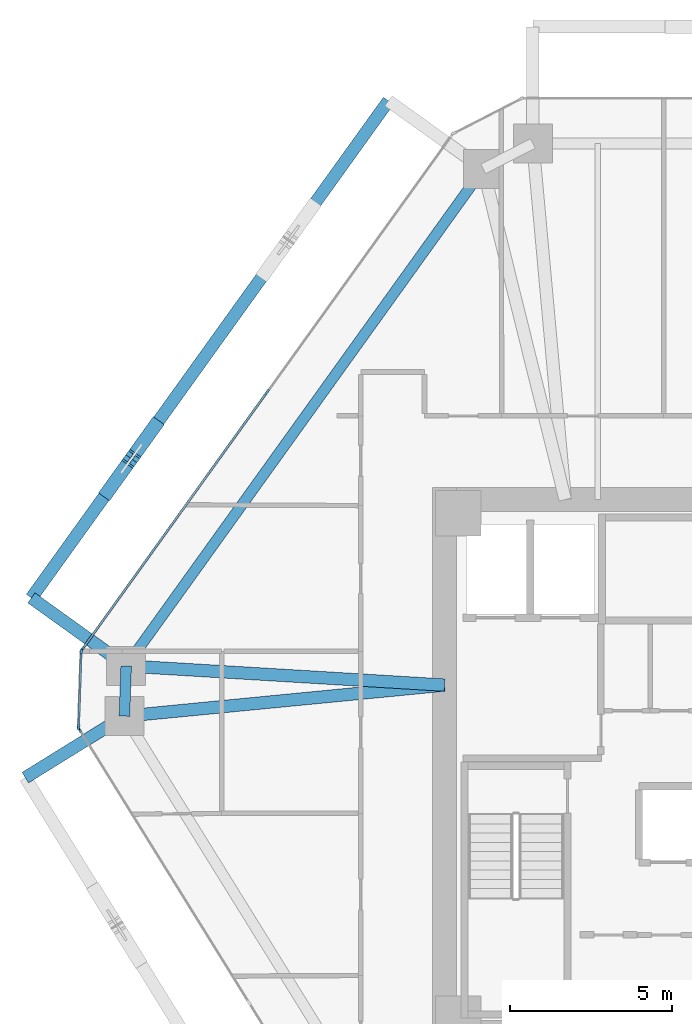
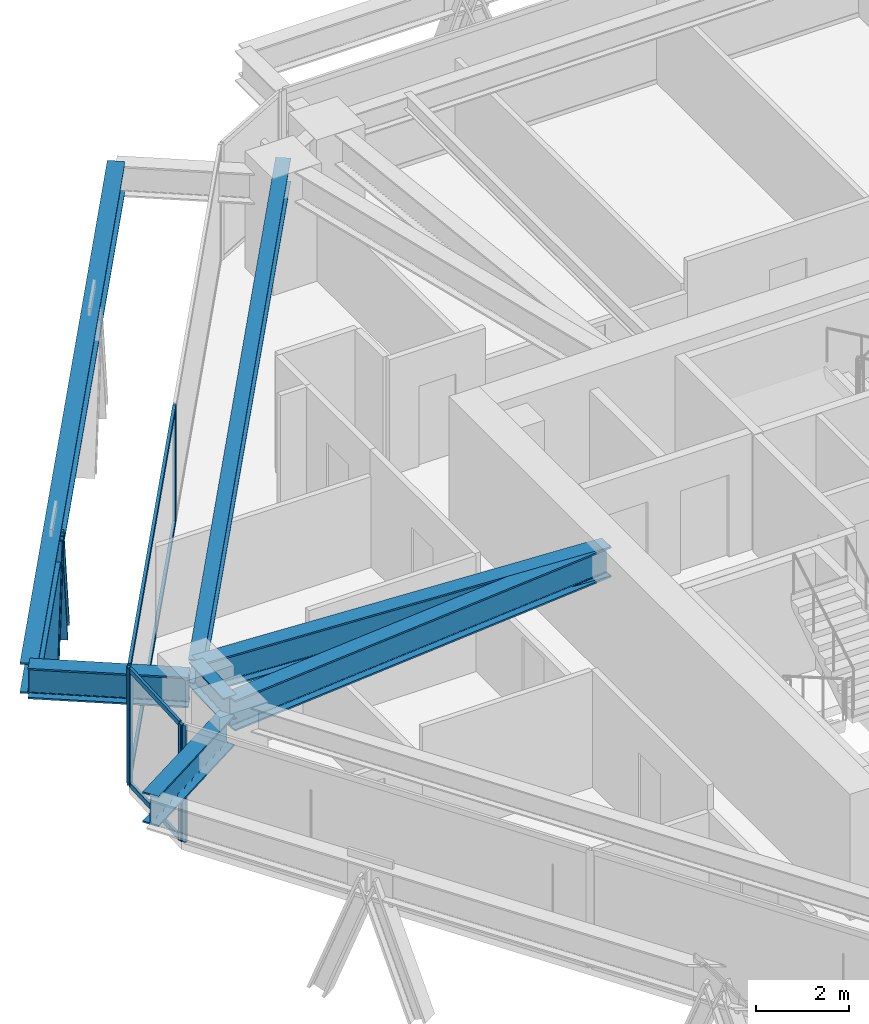
# One storey, part 4 of 16: 11 members, 7 beams, 3 elements without a shape of their own.
"""IFC4 building model written with IfcOpenShell, lengths in metres."""

from ifc_helpers import new_model, si_unit, direction, frame, origin, origin_2d, place, context, subcontext, project, spatial, rectangle, i_section, extrude, source, transform, mapped, material, layer, layer_set, material_profile, profile_set, type_object, type_shapes, element, aggregate, save


model = new_model("IFC4")

# Units and contexts
model_context = context("Model", 3, precision=1e-05, world=origin(), true_north=direction((0.0, 1.0)))
body_context = subcontext(model_context, "Body", "Model", "MODEL_VIEW")
ifc_project = project(units=[si_unit("LENGTHUNIT", "METRE"), si_unit("AREAUNIT", "SQUARE_METRE"), si_unit("VOLUMEUNIT", "CUBIC_METRE"), si_unit("PLANEANGLEUNIT", "RADIAN"), si_unit("MASSUNIT", "GRAM", prefix="KILO")], contexts=[model_context])

# Site, building, storey
site_placement = place(None, origin())
site = spatial("IfcSite", under=ifc_project, at=site_placement, CompositionType="ELEMENT")
building_placement = place(site_placement, origin())
building = spatial("IfcBuilding", under=site, at=building_placement, Name="Durnholm Broadcast Tower", CompositionType="ELEMENT")
storey_placement = place(building_placement, frame((0.0, 0.0, 123.89990234375)))
storey = spatial("IfcBuildingStorey", under=building, at=storey_placement, Name="L33", CompositionType="ELEMENT", Elevation=123.89990234375)

# Beams
ifc_material_1 = material(Name="Steel ASTM A992 Grade 50", Category="steel")
ifc_material_profile_1 = material_profile(ifc_material_1, i_section(OverallWidth=0.385009765625, OverallDepth=0.802978515625, WebThickness=0.023681640625, FlangeThickness=0.0419921875, FilletRadius=0.032958984375, at=origin_2d()), Name="W30X261")
ifc_profile_set_1 = profile_set([ifc_material_profile_1], Name="Steel ASTM A992 Grade 50")
beam_type_1 = type_object("IfcBeamType", Name="BM-EXO-TIE", PredefinedType="USERDEFINED", material=ifc_profile_set_1)
shared_shape_1 = source(origin(), body_context, "Body", "SweptSolid", [
    extrude(i_section(OverallWidth=0.385009765625, OverallDepth=0.802978515625, WebThickness=0.023681640625, FlangeThickness=0.0419921875, FilletRadius=0.032958984375, at=origin_2d()), origin(), (0.0, 0.0, 1.0), 3.4560546875),
])
for number, where, z_axis, x_axis, name in (
    (1, (-20.1669921875, 3.175048828125, 2.30859375), (-0.812164951739, 0.583427880005, 0.0), (-0.583427880005, -0.812164951739, 0.0), "L33 exoskeleton stand-off tie bracket F5.2"),
    (2, (-20.22509765625, 1.465576171875, 2.30859375), (-0.849795112316, -0.527113144481, 0.0), (0.527113144481, -0.849795112316, 0.0), "L33 exoskeleton stand-off tie bracket F6.1"),
):
    element("IfcBeam", number, at=place(storey_placement, frame(where, z_axis=z_axis, x_axis=x_axis)), inside=storey, type_object=beam_type_1, Name=name, ObjectType="GIRDER", PredefinedType="USERDEFINED", context=body_context, shape_type="MappedRepresentation", body=[
        mapped(shared_shape_1, transform((0.0, 0.0, 0.0), x_axis=(1.0, 0.0, 0.0), y_axis=(0.0, 1.0, 0.0), z_axis=(0.0, 0.0, 1.0), scale=1.0)),
    ])
ifc_material_profile_2 = material_profile(ifc_material_1, i_section(OverallWidth=0.3291015625, OverallDepth=0.635009765625, WebThickness=0.017822265625, FlangeThickness=0.031005859375, FilletRadius=0.02783203125, at=origin_2d()), Name="W24X162")
ifc_profile_set_2 = profile_set([ifc_material_profile_2], Name="Steel ASTM A992 Grade 50")
beam_type_2 = type_object("IfcBeamType", Name="STL-SP-W24X162", PredefinedType="SPANDREL", material=ifc_profile_set_2)
shared_shape_2 = source(origin(), body_context, "Body", "SweptSolid", [
    extrude(i_section(OverallWidth=0.3291015625, OverallDepth=0.635009765625, WebThickness=0.017822265625, FlangeThickness=0.031005859375, FilletRadius=0.02783203125, at=origin_2d()), origin(), (0.0, 0.0, 1.0), 1.550537109375),
])
beam_1_placement = place(storey_placement, frame((-20.102783203125, 1.54150390625, 2.7275390625), z_axis=(0.034012135923, 0.999421419928, 0.0), x_axis=(-0.999421419928, 0.034012135923, 0.0)))
element("IfcBeam", 3, at=beam_1_placement, inside=storey, type_object=beam_type_2, Name="L33 perimeter spandrel girder 02", PredefinedType="SPANDREL", context=body_context, shape_type="MappedRepresentation", body=[
    mapped(shared_shape_2, transform((0.0, 0.0, 0.0), x_axis=(1.0, 0.0, 0.0), y_axis=(0.0, 1.0, 0.0), z_axis=(0.0, 0.0, 1.0), scale=1.0)),
])
shared_shape_3 = source(origin(), body_context, "Body", "SweptSolid", [
    extrude(i_section(OverallWidth=0.3291015625, OverallDepth=0.635009765625, WebThickness=0.017822265625, FlangeThickness=0.031005859375, FilletRadius=0.02783203125, at=origin_2d()), origin(), (0.0, 0.0, 1.0), 18.884521484375),
])
type_shapes(beam_type_2, [shared_shape_2, shared_shape_3])
beam_2_placement = place(storey_placement, frame((-20.050048828125, 3.091064453125, 2.7275390625), z_axis=(0.583443434414, 0.812153777827, 0.0), x_axis=(-0.812153777827, 0.583443434414, 0.0)))
element("IfcBeam", 4, at=beam_2_placement, inside=storey, type_object=beam_type_2, Name="L33 perimeter spandrel girder 03", PredefinedType="SPANDREL", context=body_context, shape_type="MappedRepresentation", body=[
    mapped(shared_shape_3, transform((0.0, 0.0, 0.0), x_axis=(1.0, 0.0, 0.0), y_axis=(0.0, 1.0, 0.0), z_axis=(0.0, 0.0, 1.0), scale=1.0)),
])
ifc_material_profile_3 = material_profile(ifc_material_1, i_section(OverallWidth=0.385009765625, OverallDepth=0.802978515625, WebThickness=0.023681640625, FlangeThickness=0.0419921875, FilletRadius=0.032958984375, at=origin_2d()), Name="W30X261")
ifc_profile_set_3 = profile_set([ifc_material_profile_3], Name="Steel ASTM A992 Grade 50")
beam_type_3 = type_object("IfcBeamType", Name="STL-GR-W30X261", PredefinedType="USERDEFINED", material=ifc_profile_set_3)
shared_shape_4 = source(origin(), body_context, "Body", "SweptSolid", [
    extrude(i_section(OverallWidth=0.385009765625, OverallDepth=0.802978515625, WebThickness=0.023681640625, FlangeThickness=0.0419921875, FilletRadius=0.032958984375, at=origin_2d()), origin(), (0.0, 0.0, 1.0), 9.924072265625),
])
beam_3_placement = place(storey_placement, frame((-10.22509765625, 2.5, 2.6435546875), z_axis=(-0.995324947968, -0.096582855378, 0.0), x_axis=(0.096582855378, -0.995324947968, 0.0)))
element("IfcBeam", 5, at=beam_3_placement, inside=storey, type_object=beam_type_3, Name="L33 radial primary floor girder 02", ObjectType="GIRDER", PredefinedType="USERDEFINED", context=body_context, shape_type="MappedRepresentation", body=[
    mapped(shared_shape_4, transform((0.0, 0.0, 0.0), x_axis=(1.0, 0.0, 0.0), y_axis=(0.0, 1.0, 0.0), z_axis=(0.0, 0.0, 1.0), scale=1.0)),
])
shared_shape_5 = source(origin(), body_context, "Body", "SweptSolid", [
    extrude(i_section(OverallWidth=0.385009765625, OverallDepth=0.802978515625, WebThickness=0.023681640625, FlangeThickness=0.0419921875, FilletRadius=0.032958984375, at=origin_2d()), origin(), (0.0, 0.0, 1.0), 9.8427734375),
])
type_shapes(beam_type_3, [shared_shape_4, shared_shape_5])
beam_4_placement = place(storey_placement, frame((-10.22509765625, 2.5, 2.6435546875), z_axis=(-0.998195312551, 0.0600509617, 0.0), x_axis=(-0.0600509617, -0.998195312551, 0.0)))
element("IfcBeam", 6, at=beam_4_placement, inside=storey, type_object=beam_type_3, Name="L33 radial primary floor girder 03", ObjectType="GIRDER", PredefinedType="USERDEFINED", context=body_context, shape_type="MappedRepresentation", body=[
    mapped(shared_shape_5, transform((0.0, 0.0, 0.0), x_axis=(1.0, 0.0, 0.0), y_axis=(0.0, 1.0, 0.0), z_axis=(0.0, 0.0, 1.0), scale=1.0)),
])
shared_shape_6 = source(origin(), body_context, "Body", "SweptSolid", [
    extrude(i_section(OverallWidth=0.385009765625, OverallDepth=0.802978515625, WebThickness=0.023681640625, FlangeThickness=0.0419921875, FilletRadius=0.032958984375, at=origin_2d()), origin(), (0.0, 0.0, 1.0), 18.884765625),
])
type_shapes(beam_type_1, [shared_shape_1, shared_shape_6])
beam_5_placement = place(storey_placement, frame((-11.955810546875, 20.52880859375, 2.30859375), z_axis=(-0.583437308554, -0.812158178551, 0.0), x_axis=(0.812158178551, -0.583437308554, 0.0)))
element("IfcBeam", 7, at=beam_5_placement, inside=storey, type_object=beam_type_1, Name="L33 exoskeleton collector spandrel F5", PredefinedType="SPANDREL", context=body_context, shape_type="MappedRepresentation", body=[
    mapped(shared_shape_6, transform((0.0, 0.0, 0.0), x_axis=(1.0, 0.0, 0.0), y_axis=(0.0, 1.0, 0.0), z_axis=(0.0, 0.0, 1.0), scale=1.0)),
])

# Members
ifc_material_2 = material(Name="Steel ASTM A913 Grade 65", Category="steel")
ifc_material_profile_4 = material_profile(ifc_material_2, i_section(OverallWidth=0.41845703125, OverallDepth=0.455078125, WebThickness=0.0419921875, FlangeThickness=0.067626953125, FilletRadius=0.030517578125, at=origin_2d()), Name="W14X370")
ifc_profile_set_4 = profile_set([ifc_material_profile_4], Name="Steel ASTM A913 Grade 65")
member_type_1 = type_object("IfcMemberType", Name="STL-DG-W14X370", PredefinedType="BRACE", material=ifc_profile_set_4)
shared_shape_7 = source(origin(), body_context, "Body", "SweptSolid", [
    extrude(i_section(OverallWidth=0.41845703125, OverallDepth=0.455078125, WebThickness=0.0419921875, FlangeThickness=0.067626953125, FilletRadius=0.030517578125, at=origin_2d()), origin(), (0.0, 0.0, 1.0), 3.52294921875),
])
type_shapes(member_type_1, [shared_shape_7])
for number, where, z_axis, x_axis, name in (
    (8, (-19.1689453125, 10.488037109375, -0.9912109375), (-0.204363459575, -0.284473381335, 0.936648531576), (0.812153063014, -0.583444429434, 0.0), "L33 stand-off diagrid brace F5.D2.1"),
    (9, (-20.608642578125, 8.48388671875, -0.9912109375), (0.204301080379, 0.284413715697, 0.936680258615), (-0.812179469647, 0.583407669717, 0.0), "L33 stand-off diagrid brace F5.D2.2"),
):
    element("IfcMember", number, at=place(storey_placement, frame(where, z_axis=z_axis, x_axis=x_axis)), inside=storey, type_object=member_type_1, Name=name, PredefinedType="BRACE", context=body_context, shape_type="MappedRepresentation", body=[
        mapped(shared_shape_7, transform((0.0, 0.0, 0.0), x_axis=(1.0, 0.0, 0.0), y_axis=(0.0, 1.0, 0.0), z_axis=(0.0, 0.0, 1.0), scale=1.0)),
    ])

# Curtain wall, members
ifc_material_3 = material(Name="Aluminium and Solar Control IGU", Category="aluminium")
ifc_layer_1 = layer(ifc_material_3, 0.1650390625)
ifc_layer_set_1 = layer_set([ifc_layer_1], Name="Aluminium and Solar Control IGU")
curtain_wall_type_1 = type_object("IfcCurtainWallType", Name="CW-SYS-5", PredefinedType="NOTDEFINED", material=ifc_layer_set_1)
curtain_wall_1_placement = place(storey_placement, origin())
curtain_wall_1 = element("IfcCurtainWall", 10, at=curtain_wall_1_placement, inside=storey, type_object=curtain_wall_type_1, Name="L33 curtain wall CW-CORNER CW-L33-CRN-01", PredefinedType="NOTDEFINED")
ifc_material_4 = material(Name="Aluminium 6063-T6", Category="aluminium")
ifc_material_profile_5 = material_profile(ifc_material_4, rectangle(XDim=0.06494140625, YDim=0.1650390625, at=origin_2d()), Name="CWM65X165")
ifc_profile_set_5 = profile_set([ifc_material_profile_5], Name="Aluminium 6063-T6")
member_type_2 = type_object("IfcMemberType", Name="CW-SYS-5-MUL", PredefinedType="MULLION", material=ifc_profile_set_5)
shared_shape_8 = source(origin(), body_context, "Body", "SweptSolid", [
    extrude(rectangle(XDim=0.06494140625, YDim=0.1650390625, at=origin_2d()), origin(), (0.0, 0.0, 1.0), 3.06005859375),
])
type_shapes(member_type_2, [shared_shape_8])
member_1_placement = place(storey_placement, frame((-21.51513671875, 1.19677734375, 0.0), z_axis=(0.0, 0.0, 1.0), x_axis=(-0.999424655155, 0.033916937775, 0.0)))
member_1 = element("IfcMember", 11, at=member_1_placement, type_object=member_type_2, Name="CW-CORNER mullion 1", PredefinedType="MULLION", context=body_context, shape_type="MappedRepresentation", body=[
    mapped(shared_shape_8, transform((0.0, 0.0, 0.0), x_axis=(1.0, 0.0, 0.0), y_axis=(0.0, 1.0, 0.0), z_axis=(0.0, 0.0, 1.0), scale=1.0)),
])
member_2_placement = place(storey_placement, frame((-21.43603515625, 3.530517578125, 0.0), z_axis=(0.0, 0.0, 1.0), x_axis=(-0.999424655155, 0.033916937775, 0.0)))
member_2 = element("IfcMember", 12, at=member_2_placement, type_object=member_type_2, Name="CW-CORNER mullion 2", PredefinedType="MULLION", context=body_context, shape_type="MappedRepresentation", body=[
    mapped(shared_shape_8, transform((0.0, 0.0, 0.0), x_axis=(1.0, 0.0, 0.0), y_axis=(0.0, 1.0, 0.0), z_axis=(0.0, 0.0, 1.0), scale=1.0)),
])

ifc_layer_2 = layer(ifc_material_3, 0.18994140625)
ifc_layer_set_2 = layer_set([ifc_layer_2], Name="Aluminium and Solar Control IGU")
curtain_wall_type_2 = type_object("IfcCurtainWallType", Name="CW-SYS-3", PredefinedType="NOTDEFINED", material=ifc_layer_set_2)
curtain_wall_2_placement = place(storey_placement, origin())
curtain_wall_2 = element("IfcCurtainWall", 13, at=curtain_wall_2_placement, inside=storey, type_object=curtain_wall_type_2, Name="L33 curtain wall CW-Z12-VIS CW-L33-F02", PredefinedType="NOTDEFINED")
ifc_material_profile_6 = material_profile(ifc_material_4, rectangle(XDim=0.070068359375, YDim=0.18994140625, at=origin_2d()), Name="CWM70X190")
ifc_profile_set_6 = profile_set([ifc_material_profile_6], Name="Aluminium 6063-T6")
member_type_3 = type_object("IfcMemberType", Name="CW-SYS-3-MUL", PredefinedType="MULLION", material=ifc_profile_set_6)
shared_shape_9 = source(origin(), body_context, "Body", "SweptSolid", [
    extrude(rectangle(XDim=0.070068359375, YDim=0.18994140625, at=origin_2d()), origin(), (0.0, 0.0, 1.0), 3.06005859375),
])
type_shapes(member_type_3, [shared_shape_9])
member_3_placement = place(storey_placement, frame((-21.41455078125, 3.59130859375, 0.0), z_axis=(0.0, 0.0, 1.0), x_axis=(-0.812152312759, 0.583445473786, 0.0)))
member_3 = element("IfcMember", 14, at=member_3_placement, type_object=member_type_3, Name="CW-Z12-VIS mullion 1", PredefinedType="MULLION", context=body_context, shape_type="MappedRepresentation", body=[
    mapped(shared_shape_9, transform((0.0, 0.0, 0.0), x_axis=(1.0, 0.0, 0.0), y_axis=(0.0, 1.0, 0.0), z_axis=(0.0, 0.0, 1.0), scale=1.0)),
])
member_4_placement = place(storey_placement, frame((-15.703369140625, 11.541259765625, 0.0), z_axis=(0.0, 0.0, 1.0), x_axis=(-0.812152312759, 0.583445473786, 0.0)))
member_4 = element("IfcMember", 15, at=member_4_placement, type_object=member_type_3, Name="CW-Z12-VIS mullion 2", PredefinedType="MULLION", context=body_context, shape_type="MappedRepresentation", body=[
    mapped(shared_shape_9, transform((0.0, 0.0, 0.0), x_axis=(1.0, 0.0, 0.0), y_axis=(0.0, 1.0, 0.0), z_axis=(0.0, 0.0, 1.0), scale=1.0)),
])

# Curtain wall, member
curtain_wall_3_placement = place(storey_placement, origin())
curtain_wall_3 = element("IfcCurtainWall", 16, at=curtain_wall_3_placement, inside=storey, type_object=curtain_wall_type_2, Name="L33 curtain wall CW-Z12-VIS CW-L33-F12", PredefinedType="NOTDEFINED")
member_5_placement = place(storey_placement, frame((-21.497802734375, 1.134765625, 0.0), z_axis=(0.0, 0.0, 1.0), x_axis=(-0.849799925229, -0.527105385176, 0.0)))
member_5 = element("IfcMember", 17, at=member_5_placement, type_object=member_type_3, Name="CW-Z12-VIS mullion 3", PredefinedType="MULLION", context=body_context, shape_type="MappedRepresentation", body=[
    mapped(shared_shape_9, transform((0.0, 0.0, 0.0), x_axis=(1.0, 0.0, 0.0), y_axis=(0.0, 1.0, 0.0), z_axis=(0.0, 0.0, 1.0), scale=1.0)),
])
aggregate(curtain_wall_3, [member_5])

# Member
ifc_material_profile_7 = material_profile(ifc_material_4, rectangle(XDim=0.06494140625, YDim=0.1298828125, at=origin_2d()), Name="CWT65X130")
ifc_profile_set_7 = profile_set([ifc_material_profile_7], Name="Aluminium 6063-T6")
member_type_4 = type_object("IfcMemberType", Name="CW-SYS-5-TRN", PredefinedType="USERDEFINED", material=ifc_profile_set_7)
shared_shape_10 = source(origin(), body_context, "Body", "SweptSolid", [
    extrude(rectangle(XDim=0.06494140625, YDim=0.1298828125, at=origin_2d()), origin(), (0.0, 0.0, 1.0), 2.27001953125),
])
type_shapes(member_type_4, [shared_shape_10])
member_6_placement = place(storey_placement, frame((-21.51416015625, 1.229248046875, 0.03271484375), z_axis=(0.03398444704, 0.999422361847, 0.0), x_axis=(-0.999422361847, 0.03398444704, 0.0)))
member_6 = element("IfcMember", 18, at=member_6_placement, type_object=member_type_4, Name="CW-CORNER transom 1.1", ObjectType="TRANSOM", PredefinedType="USERDEFINED", context=body_context, shape_type="MappedRepresentation", body=[
    mapped(shared_shape_10, transform((0.0, 0.0, 0.0), x_axis=(1.0, 0.0, 0.0), y_axis=(0.0, 1.0, 0.0), z_axis=(0.0, 0.0, 1.0), scale=1.0)),
])

member_7_placement = place(storey_placement, frame((-21.51416015625, 1.229248046875, 3.027587890625), z_axis=(0.03398444704, 0.999422361847, 0.0), x_axis=(-0.999422361847, 0.03398444704, 0.0)))
member_7 = element("IfcMember", 19, at=member_7_placement, type_object=member_type_4, Name="CW-CORNER transom 1.2", ObjectType="TRANSOM", PredefinedType="USERDEFINED", context=body_context, shape_type="MappedRepresentation", body=[
    mapped(shared_shape_10, transform((0.0, 0.0, 0.0), x_axis=(1.0, 0.0, 0.0), y_axis=(0.0, 1.0, 0.0), z_axis=(0.0, 0.0, 1.0), scale=1.0)),
])

aggregate(curtain_wall_1, [member_1, member_2, member_6, member_7])

ifc_material_profile_8 = material_profile(ifc_material_4, rectangle(XDim=0.070068359375, YDim=0.14990234375, at=origin_2d()), Name="CWT70X150")
ifc_profile_set_8 = profile_set([ifc_material_profile_8], Name="Aluminium 6063-T6")
member_type_5 = type_object("IfcMemberType", Name="CW-SYS-3-TRN", PredefinedType="USERDEFINED", material=ifc_profile_set_8)
shared_shape_11 = source(origin(), body_context, "Body", "SweptSolid", [
    extrude(rectangle(XDim=0.070068359375, YDim=0.14990234375, at=origin_2d()), origin(), (0.0, 0.0, 1.0), 9.71875),
])
type_shapes(member_type_5, [shared_shape_11])
member_8_placement = place(storey_placement, frame((-21.39404296875, 3.619873046875, 0.03515625), z_axis=(0.583450726174, 0.812148539448, 0.0), x_axis=(-0.812148539448, 0.583450726174, 0.0)))
member_8 = element("IfcMember", 20, at=member_8_placement, type_object=member_type_5, Name="CW-Z12-VIS transom 1.1", ObjectType="TRANSOM", PredefinedType="USERDEFINED", context=body_context, shape_type="MappedRepresentation", body=[
    mapped(shared_shape_11, transform((0.0, 0.0, 0.0), x_axis=(1.0, 0.0, 0.0), y_axis=(0.0, 1.0, 0.0), z_axis=(0.0, 0.0, 1.0), scale=1.0)),
])

member_9_placement = place(storey_placement, frame((-21.39404296875, 3.619873046875, 3.025146484375), z_axis=(0.583450726174, 0.812148539448, 0.0), x_axis=(-0.812148539448, 0.583450726174, 0.0)))
member_9 = element("IfcMember", 21, at=member_9_placement, type_object=member_type_5, Name="CW-Z12-VIS transom 1.2", ObjectType="TRANSOM", PredefinedType="USERDEFINED", context=body_context, shape_type="MappedRepresentation", body=[
    mapped(shared_shape_11, transform((0.0, 0.0, 0.0), x_axis=(1.0, 0.0, 0.0), y_axis=(0.0, 1.0, 0.0), z_axis=(0.0, 0.0, 1.0), scale=1.0)),
])

aggregate(curtain_wall_2, [member_3, member_4, member_8, member_9])

save(model, "model.ifc")
